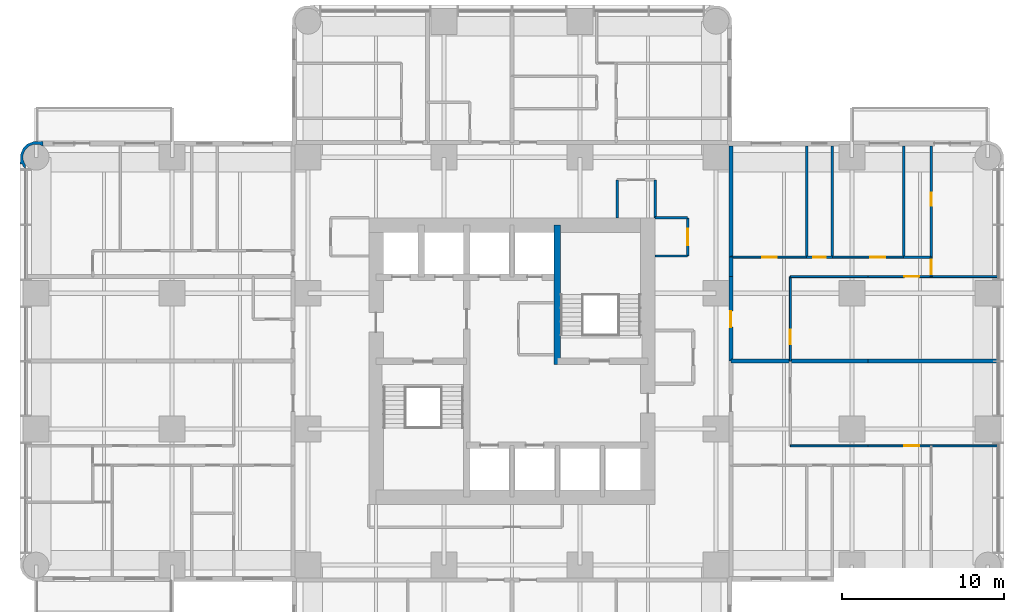
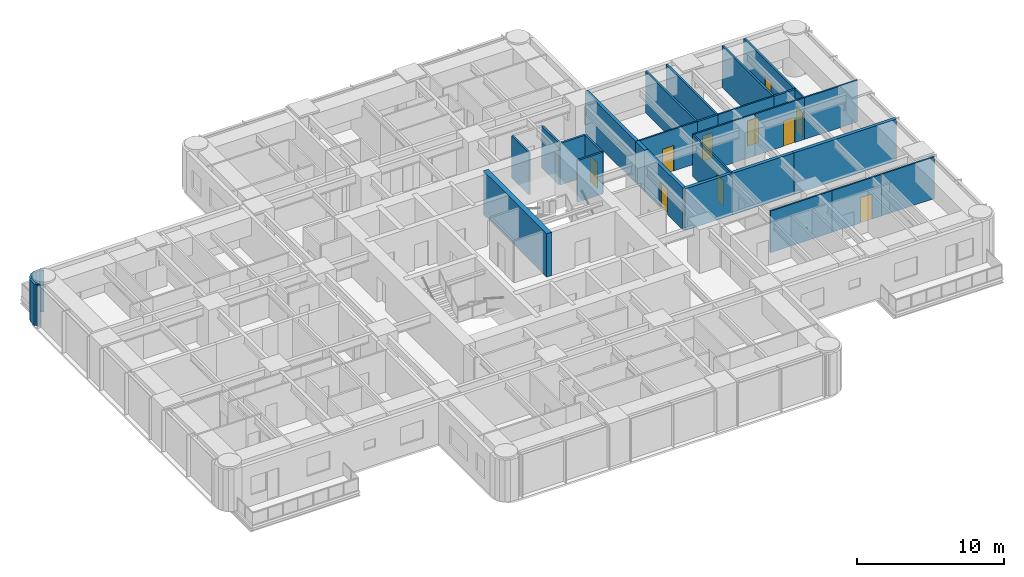
# One storey, part 10 of 14: 29 walls, 10 doors, 10 openings.
"""IFC4 building model written with IfcOpenShell, lengths in metres."""

from ifc_helpers import new_model, si_unit, direction, frame, frame_2d, origin, place, context, subcontext, project, spatial, polyline, rectangle, outline, extrude, material, layer, layer_set, type_object, element, fill, save


model = new_model("IFC4")

# Units and contexts
model_context = context("Model", 3, precision=1e-05, world=origin(), true_north=direction((0.0, 1.0)))
body_context = subcontext(model_context, "Body", "Model", "MODEL_VIEW")
ifc_project = project(units=[si_unit("LENGTHUNIT", "METRE"), si_unit("AREAUNIT", "SQUARE_METRE"), si_unit("VOLUMEUNIT", "CUBIC_METRE"), si_unit("PLANEANGLEUNIT", "RADIAN"), si_unit("MASSUNIT", "GRAM", prefix="KILO")], contexts=[model_context])

# Site, building, storey
site_placement = place(None, origin())
site = spatial("IfcSite", under=ifc_project, at=site_placement, CompositionType="ELEMENT")
building_placement = place(site_placement, origin())
building = spatial("IfcBuilding", under=site, at=building_placement, Name="Torre Alcanfor", CompositionType="ELEMENT")
storey_placement = place(building_placement, frame((0.0, 0.0, 130.5)))
storey = spatial("IfcBuildingStorey", under=building, at=storey_placement, Name="L33", CompositionType="ELEMENT", Elevation=130.5)

# Wall, opening, door
ifc_material_1 = material(Name="Concrete block masonry, hollow blocks NMX-C-404 9 MPa", Category="masonry")
ifc_layer_1 = layer(ifc_material_1, 0.25)
ifc_layer_set_1 = layer_set([ifc_layer_1], Name="Apartment entrance wall 250 EI 60")
wall_type_1 = type_object("IfcWallType", Name="Apartment entrance wall 250 EI 60", PredefinedType="PARTITIONING", material=ifc_layer_set_1)
wall_1_placement = place(storey_placement, frame((42.925048828125, 34.62890625, 0.0), z_axis=(0.0, 0.0, 1.0), x_axis=(0.0, -1.0, 0.0)))
wall_1 = element("IfcWall", 1, at=wall_1_placement, inside=storey, type_object=wall_type_1, Name="Partition L33-CORR / L33-E1-ZAG", PredefinedType="PARTITIONING", context=body_context, shape_type="SweptSolid", body=[
    extrude(rectangle(XDim=5.22900390625, YDim=0.25, at=frame_2d((2.614501953125, 0.0))), origin(), (0.0, 0.0, 1.0), 3.449951171875),
])
opening_1_placement = place(wall_1_placement, frame((2.12890625, 0.0, 0.0)))
opening_1 = element("IfcOpeningElement", 2, at=opening_1_placement, cuts=wall_1, Name="Opening D-A1", PredefinedType="OPENING", context=body_context, shape_type="SweptSolid", body=[
    extrude(rectangle(XDim=1.0, YDim=2.10009765625, at=frame_2d((0.5, 1.050048828125))), frame((0.0, 0.135009765625, 0.0), z_axis=(0.0, -1.0, 0.0), x_axis=(1.0, 0.0, 0.0)), (0.0, 0.0, 1.0), 0.27001953125),
])
ifc_material_2 = material(Name="Galvanised steel sheet ASTM A653", Category="steel")
door_type_1 = type_object("IfcDoorType", Name="Apartment entrance door FD60 1000x2100", OperationType="SINGLE_SWING_LEFT", PredefinedType="DOOR", material=ifc_material_2)
door_1_placement = place(opening_1_placement, origin())
door_1 = element("IfcDoor", 3, at=door_1_placement, inside=storey, type_object=door_type_1, Name="Apartment entrance L33-E1", OperationType="SINGLE_SWING_RIGHT", OverallHeight=2.10009765625, OverallWidth=1.0, PredefinedType="DOOR", context=body_context, shape_type="SweptSolid", body=[
    extrude(rectangle(XDim=1.0, YDim=2.10009765625, at=frame_2d((0.5, 1.050048828125))), frame((0.0, 0.02490234375, 0.0), z_axis=(0.0, -1.0, 0.0), x_axis=(1.0, 0.0, 0.0)), (0.0, 0.0, 1.0), 0.050048828125),
])
fill(opening_1, door_1)

# Walls
wall_2_placement = place(storey_placement, frame((42.925048828125, 35.8291015625, 0.0), z_axis=(0.0, 0.0, 1.0), x_axis=(0.0, -1.0, 0.0)))
element("IfcWall", 4, at=wall_2_placement, inside=storey, type_object=wall_type_1, Name="Partition L33-CORR / L33-E1-HALL", PredefinedType="PARTITIONING", context=body_context, shape_type="SweptSolid", body=[
    extrude(rectangle(XDim=1.2001953125, YDim=0.25, at=frame_2d((0.60009765625, 0.0))), origin(), (0.0, 0.0, 1.0), 3.449951171875),
])
wall_3_placement = place(storey_placement, frame((42.925048828125, 42.699951171875, 0.0), z_axis=(0.0, 0.0, 1.0), x_axis=(0.0, -1.0, 0.0)))
element("IfcWall", 5, at=wall_3_placement, inside=storey, type_object=wall_type_1, Name="Partition L33-CORR / L33-E1-BED3", PredefinedType="PARTITIONING", context=body_context, shape_type="SweptSolid", body=[
    extrude(rectangle(XDim=6.870849609375, YDim=0.25, at=frame_2d((3.435546875, 0.0))), origin(), (0.0, 0.0, 1.0), 3.449951171875),
])

# Wall, opening, door
ifc_material_3 = material(Name="Gypsum board on steel studs", Category="steel")
ifc_layer_2 = layer(ifc_material_3, 0.1201171875)
ifc_layer_set_2 = layer_set([ifc_layer_2], Name="Apartment partition 120")
wall_type_2 = type_object("IfcWallType", Name="Apartment partition 120", PredefinedType="PARTITIONING", material=ifc_layer_set_2)
wall_4_placement = place(storey_placement, frame((46.60009765625, 29.39990234375, 0.0), z_axis=(0.0, 0.0, 1.0), x_axis=(0.0, 1.0, 0.0)))
wall_4 = element("IfcWall", 6, at=wall_4_placement, inside=storey, type_object=wall_type_2, Name="Partition L33-E1-ZAG / L33-E1-KITCHEN", PredefinedType="PARTITIONING", context=body_context, shape_type="SweptSolid", body=[
    extrude(rectangle(XDim=5.22900390625, YDim=0.1201171875, at=frame_2d((2.614501953125, 0.0))), origin(), (0.0, 0.0, 1.0), 3.449951171875),
])
opening_2_placement = place(wall_4_placement, frame((1.050048828125, 0.0, 0.0)))
opening_2 = element("IfcOpeningElement", 7, at=opening_2_placement, cuts=wall_4, Name="Opening D-R1", PredefinedType="OPENING", context=body_context, shape_type="SweptSolid", body=[
    extrude(rectangle(XDim=0.89990234375, YDim=2.10009765625, at=frame_2d((0.449951171875, 1.050048828125))), frame((0.0, 0.070068359375, 0.0), z_axis=(0.0, -1.0, 0.0), x_axis=(1.0, 0.0, 0.0)), (0.0, 0.0, 1.0), 0.14013671875),
])
ifc_material_4 = material(Name="Timber", Category="wood")
door_type_2 = type_object("IfcDoorType", Name="Internal door 900x2100", OperationType="SINGLE_SWING_LEFT", PredefinedType="DOOR", material=ifc_material_4)
door_2_placement = place(opening_2_placement, frame((0.89990234375, 0.0, 0.0), z_axis=(0.0, 0.0, 1.0), x_axis=(-1.0, 0.0, 0.0)))
door_2 = element("IfcDoor", 8, at=door_2_placement, inside=storey, type_object=door_type_2, Name="Door L33-E1 kitchen", OperationType="SINGLE_SWING_RIGHT", OverallHeight=2.10009765625, OverallWidth=0.89990234375, PredefinedType="DOOR", context=body_context, shape_type="SweptSolid", body=[
    extrude(rectangle(XDim=0.89990234375, YDim=2.10009765625, at=frame_2d((0.449951171875, 1.050048828125))), frame((0.0, 0.025146484375, 0.0), z_axis=(0.0, -1.0, 0.0), x_axis=(1.0, 0.0, 0.0)), (0.0, 0.0, 1.0), 0.050048828125),
])
fill(opening_2, door_2)

# Wall
wall_5_placement = place(storey_placement, frame((51.39990234375, 34.62890625, 0.0), z_axis=(0.0, 0.0, 1.0), x_axis=(-1.0, 0.0, 0.0)))
element("IfcWall", 9, at=wall_5_placement, inside=storey, type_object=wall_type_2, Name="Partition L33-E1-KITCHEN / L33-E1-HALL", PredefinedType="PARTITIONING", context=body_context, shape_type="SweptSolid", body=[
    extrude(rectangle(XDim=4.7998046875, YDim=0.1201171875, at=frame_2d((2.39990234375, 0.0))), origin(), (0.0, 0.0, 1.0), 3.449951171875),
])

# Wall, opening, door
wall_6_placement = place(storey_placement, frame((55.300048828125, 34.62890625, 0.0), z_axis=(0.0, 0.0, 1.0), x_axis=(-1.0, 0.0, 0.0)))
wall_6 = element("IfcWall", 10, at=wall_6_placement, inside=storey, type_object=wall_type_2, Name="Partition L33-E1-LIVING / L33-E1-HALL", PredefinedType="PARTITIONING", context=body_context, shape_type="SweptSolid", body=[
    extrude(rectangle(XDim=3.900146484375, YDim=0.1201171875, at=frame_2d((1.9501953125, 0.0))), origin(), (0.0, 0.0, 1.0), 3.449951171875),
])
opening_3_placement = place(wall_6_placement, frame((0.75, 0.0, 0.0)))
opening_3 = element("IfcOpeningElement", 11, at=opening_3_placement, cuts=wall_6, Name="Opening D-R1", PredefinedType="OPENING", context=body_context, shape_type="SweptSolid", body=[
    extrude(rectangle(XDim=0.89990234375, YDim=2.10009765625, at=frame_2d((0.449951171875, 1.050048828125))), frame((0.0, 0.070068359375, 0.0), z_axis=(0.0, -1.0, 0.0), x_axis=(1.0, 0.0, 0.0)), (0.0, 0.0, 1.0), 0.14013671875),
])
door_3_placement = place(opening_3_placement, origin())
door_3 = element("IfcDoor", 12, at=door_3_placement, inside=storey, type_object=door_type_2, Name="Door L33-E1 living", OperationType="SINGLE_SWING_RIGHT", OverallHeight=2.10009765625, OverallWidth=0.89990234375, PredefinedType="DOOR", context=body_context, shape_type="SweptSolid", body=[
    extrude(rectangle(XDim=0.89990234375, YDim=2.10009765625, at=frame_2d((0.449951171875, 1.050048828125))), frame((0.0, 0.02490234375, 0.0), z_axis=(0.0, -1.0, 0.0), x_axis=(1.0, 0.0, 0.0)), (0.0, 0.0, 1.0), 0.050048828125),
])
fill(opening_3, door_3)

# Wall
wall_7_placement = place(storey_placement, frame((59.449951171875, 34.62890625, 0.0), z_axis=(0.0, 0.0, 1.0), x_axis=(-1.0, 0.0, 0.0)))
element("IfcWall", 13, at=wall_7_placement, inside=storey, type_object=wall_type_2, Name="Partition L33-E1-LIVING / L33-E1-MASTER", PredefinedType="PARTITIONING", context=body_context, shape_type="SweptSolid", body=[
    extrude(rectangle(XDim=4.14990234375, YDim=0.1201171875, at=frame_2d((2.074951171875, 0.0))), origin(), (0.0, 0.0, 1.0), 3.449951171875),
])

# Wall, opening, door
wall_8_placement = place(storey_placement, frame((47.60009765625, 35.8291015625, 0.0), z_axis=(0.0, 0.0, 1.0), x_axis=(-1.0, 0.0, 0.0)))
wall_8 = element("IfcWall", 14, at=wall_8_placement, inside=storey, type_object=wall_type_2, Name="Partition L33-E1-HALL / L33-E1-BED3", PredefinedType="PARTITIONING", context=body_context, shape_type="SweptSolid", body=[
    extrude(rectangle(XDim=4.675048828125, YDim=0.1201171875, at=frame_2d((2.33740234375, 0.0))), origin(), (0.0, 0.0, 1.0), 3.449951171875),
])
opening_4_placement = place(wall_8_placement, frame((1.85009765625, 0.0, 0.0)))
opening_4 = element("IfcOpeningElement", 15, at=opening_4_placement, cuts=wall_8, Name="Opening D-R1", PredefinedType="OPENING", context=body_context, shape_type="SweptSolid", body=[
    extrude(rectangle(XDim=0.89990234375, YDim=2.10009765625, at=frame_2d((0.449951171875, 1.050048828125))), frame((0.0, 0.070068359375, 0.0), z_axis=(0.0, -1.0, 0.0), x_axis=(1.0, 0.0, 0.0)), (0.0, 0.0, 1.0), 0.14013671875),
])
door_4_placement = place(opening_4_placement, frame((0.89990234375, 0.0, 0.0), z_axis=(0.0, 0.0, 1.0), x_axis=(-1.0, 0.0, 0.0)))
door_4 = element("IfcDoor", 16, at=door_4_placement, inside=storey, type_object=door_type_2, Name="Door L33-E1 bed3", OperationType="SINGLE_SWING_RIGHT", OverallHeight=2.10009765625, OverallWidth=0.89990234375, PredefinedType="DOOR", context=body_context, shape_type="SweptSolid", body=[
    extrude(rectangle(XDim=0.89990234375, YDim=2.10009765625, at=frame_2d((0.449951171875, 1.050048828125))), frame((0.0, 0.025146484375, 0.0), z_axis=(0.0, -1.0, 0.0), x_axis=(1.0, 0.0, 0.0)), (0.0, 0.0, 1.0), 0.050048828125),
])
fill(opening_4, door_4)

wall_9_placement = place(storey_placement, frame((53.60009765625, 35.8291015625, 0.0), z_axis=(0.0, 0.0, 1.0), x_axis=(-1.0, 0.0, 0.0)))
wall_9 = element("IfcWall", 17, at=wall_9_placement, inside=storey, type_object=wall_type_2, Name="Partition L33-E1-HALL / L33-E1-BED2", PredefinedType="PARTITIONING", context=body_context, shape_type="SweptSolid", body=[
    extrude(rectangle(XDim=4.400146484375, YDim=0.1201171875, at=frame_2d((2.2001953125, 0.0))), origin(), (0.0, 0.0, 1.0), 3.449951171875),
])
opening_5_placement = place(wall_9_placement, frame((1.14990234375, 0.0, 0.0)))
opening_5 = element("IfcOpeningElement", 18, at=opening_5_placement, cuts=wall_9, Name="Opening D-R1", PredefinedType="OPENING", context=body_context, shape_type="SweptSolid", body=[
    extrude(rectangle(XDim=0.89990234375, YDim=2.10009765625, at=frame_2d((0.449951171875, 1.050048828125))), frame((0.0, 0.070068359375, 0.0), z_axis=(0.0, -1.0, 0.0), x_axis=(1.0, 0.0, 0.0)), (0.0, 0.0, 1.0), 0.14013671875),
])
door_5_placement = place(opening_5_placement, frame((0.89990234375, 0.0, 0.0), z_axis=(0.0, 0.0, 1.0), x_axis=(-1.0, 0.0, 0.0)))
door_5 = element("IfcDoor", 19, at=door_5_placement, inside=storey, type_object=door_type_2, Name="Door L33-E1 bed2", OperationType="SINGLE_SWING_RIGHT", OverallHeight=2.10009765625, OverallWidth=0.89990234375, PredefinedType="DOOR", context=body_context, shape_type="SweptSolid", body=[
    extrude(rectangle(XDim=0.89990234375, YDim=2.10009765625, at=frame_2d((0.449951171875, 1.050048828125))), frame((0.0, 0.025146484375, 0.0), z_axis=(0.0, -1.0, 0.0), x_axis=(1.0, 0.0, 0.0)), (0.0, 0.0, 1.0), 0.050048828125),
])
fill(opening_5, door_5)

wall_10_placement = place(storey_placement, frame((55.300048828125, 34.62890625, 0.0), z_axis=(0.0, 0.0, 1.0), x_axis=(0.0, 1.0, 0.0)))
wall_10 = element("IfcWall", 20, at=wall_10_placement, inside=storey, type_object=wall_type_2, Name="Partition L33-E1-HALL / L33-E1-MASTER", PredefinedType="PARTITIONING", context=body_context, shape_type="SweptSolid", body=[
    extrude(rectangle(XDim=1.2001953125, YDim=0.1201171875, at=frame_2d((0.60009765625, 0.0))), origin(), (0.0, 0.0, 1.0), 3.449951171875),
])
opening_6_placement = place(wall_10_placement, frame((0.15087890625, 0.0, 0.0)))
opening_6 = element("IfcOpeningElement", 21, at=opening_6_placement, cuts=wall_10, Name="Opening D-R1", PredefinedType="OPENING", context=body_context, shape_type="SweptSolid", body=[
    extrude(rectangle(XDim=0.89990234375, YDim=2.10009765625, at=frame_2d((0.449951171875, 1.050048828125))), frame((0.0, 0.070068359375, 0.0), z_axis=(0.0, -1.0, 0.0), x_axis=(1.0, 0.0, 0.0)), (0.0, 0.0, 1.0), 0.14013671875),
])
door_6_placement = place(opening_6_placement, frame((0.89990234375, 0.0, 0.0), z_axis=(0.0, 0.0, 1.0), x_axis=(-1.0, 0.0, 0.0)))
door_6 = element("IfcDoor", 22, at=door_6_placement, inside=storey, type_object=door_type_2, Name="Door L33-E1 master", OperationType="SINGLE_SWING_RIGHT", OverallHeight=2.10009765625, OverallWidth=0.89990234375, PredefinedType="DOOR", context=body_context, shape_type="SweptSolid", body=[
    extrude(rectangle(XDim=0.89990234375, YDim=2.10009765625, at=frame_2d((0.449951171875, 1.050048828125))), frame((0.0, 0.025146484375, 0.0), z_axis=(0.0, -1.0, 0.0), x_axis=(1.0, 0.0, 0.0)), (0.0, 0.0, 1.0), 0.050048828125),
])
fill(opening_6, door_6)

# Wall
wall_11_placement = place(storey_placement, frame((51.39990234375, 24.1708984375, 0.0), z_axis=(0.0, 0.0, 1.0), x_axis=(-1.0, 0.0, 0.0)))
element("IfcWall", 23, at=wall_11_placement, inside=storey, type_object=wall_type_2, Name="Partition L33-E2-KITCHEN / L33-E2-HALL", PredefinedType="PARTITIONING", context=body_context, shape_type="SweptSolid", body=[
    extrude(rectangle(XDim=4.7998046875, YDim=0.1201171875, at=frame_2d((2.39990234375, 0.0))), origin(), (0.0, 0.0, 1.0), 3.449951171875),
])

# Wall, opening, door
wall_12_placement = place(storey_placement, frame((55.300048828125, 24.1708984375, 0.0), z_axis=(0.0, 0.0, 1.0), x_axis=(-1.0, 0.0, 0.0)))
wall_12 = element("IfcWall", 24, at=wall_12_placement, inside=storey, type_object=wall_type_2, Name="Partition L33-E2-LIVING / L33-E2-HALL", PredefinedType="PARTITIONING", context=body_context, shape_type="SweptSolid", body=[
    extrude(rectangle(XDim=3.900146484375, YDim=0.1201171875, at=frame_2d((1.9501953125, 0.0))), origin(), (0.0, 0.0, 1.0), 3.449951171875),
])
opening_7_placement = place(wall_12_placement, frame((0.75, 0.0, 0.0)))
opening_7 = element("IfcOpeningElement", 25, at=opening_7_placement, cuts=wall_12, Name="Opening D-R1", PredefinedType="OPENING", context=body_context, shape_type="SweptSolid", body=[
    extrude(rectangle(XDim=0.89990234375, YDim=2.10009765625, at=frame_2d((0.449951171875, 1.050048828125))), frame((0.0, 0.070068359375, 0.0), z_axis=(0.0, -1.0, 0.0), x_axis=(1.0, 0.0, 0.0)), (0.0, 0.0, 1.0), 0.14013671875),
])
door_7_placement = place(opening_7_placement, frame((0.89990234375, 0.0, 0.0), z_axis=(0.0, 0.0, 1.0), x_axis=(-1.0, 0.0, 0.0)))
door_7 = element("IfcDoor", 26, at=door_7_placement, inside=storey, type_object=door_type_2, Name="Door L33-E2 living", OperationType="SINGLE_SWING_LEFT", OverallHeight=2.10009765625, OverallWidth=0.89990234375, PredefinedType="DOOR", context=body_context, shape_type="SweptSolid", body=[
    extrude(rectangle(XDim=0.89990234375, YDim=2.10009765625, at=frame_2d((0.449951171875, 1.050048828125))), frame((0.0, 0.025146484375, 0.0), z_axis=(0.0, -1.0, 0.0), x_axis=(1.0, 0.0, 0.0)), (0.0, 0.0, 1.0), 0.050048828125),
])
fill(opening_7, door_7)

# Walls
wall_13_placement = place(storey_placement, frame((59.449951171875, 24.1708984375, 0.0), z_axis=(0.0, 0.0, 1.0), x_axis=(-1.0, 0.0, 0.0)))
element("IfcWall", 27, at=wall_13_placement, inside=storey, type_object=wall_type_2, Name="Partition L33-E2-LIVING / L33-E2-MASTER", PredefinedType="PARTITIONING", context=body_context, shape_type="SweptSolid", body=[
    extrude(rectangle(XDim=4.14990234375, YDim=0.1201171875, at=frame_2d((2.074951171875, 0.0))), origin(), (0.0, 0.0, 1.0), 3.449951171875),
])
ifc_material_5 = material(Name="Concrete f'c 70 MPa", Category="concrete")
ifc_layer_3 = layer(ifc_material_5, 0.39990234375)
ifc_layer_set_3 = layer_set([ifc_layer_3], Name="Core inner wall 400 f'c70")
wall_type_3 = type_object("IfcWallType", Name="Core inner wall 400 f'c70", PredefinedType="SHEAR", material=ifc_layer_set_3)
wall_14_placement = place(storey_placement, frame((32.199951171875, 29.199951171875, 0.0), z_axis=(0.0, 0.0, 1.0), x_axis=(0.0, 1.0, 0.0)))
element("IfcWall", 28, at=wall_14_placement, inside=storey, type_object=wall_type_3, Name="Core wall X322N L33", PredefinedType="SHEAR", context=body_context, shape_type="SweptSolid", body=[
    extrude(rectangle(XDim=8.60009765625, YDim=0.39990234375, at=frame_2d((4.300048828125, 0.0))), origin(), (0.0, 0.0, 1.0), 3.60009765625),
])
ifc_material_6 = material(Name="Concrete block masonry, hollow blocks NMX-C-404 9 MPa", Category="masonry")
ifc_layer_4 = layer(ifc_material_6, 0.25)
ifc_layer_set_4 = layer_set([ifc_layer_4], Name="Party wall 250 EI 60")
wall_type_4 = type_object("IfcWallType", Name="Party wall 250 EI 60", PredefinedType="PARTITIONING", material=ifc_layer_set_4)
wall_15_placement = place(storey_placement, frame((42.925048828125, 29.39990234375, 0.0), z_axis=(0.0, 0.0, 1.0), x_axis=(1.0, 0.0, 0.0)))
element("IfcWall", 29, at=wall_15_placement, inside=storey, type_object=wall_type_4, Name="Partition L33-E1-ZAG / L33-E2-ZAG", PredefinedType="PARTITIONING", context=body_context, shape_type="SweptSolid", body=[
    extrude(rectangle(XDim=3.675048828125, YDim=0.25, at=frame_2d((1.83740234375, 0.0))), origin(), (0.0, 0.0, 1.0), 3.449951171875),
])
wall_16_placement = place(storey_placement, frame((46.60009765625, 29.39990234375, 0.0), z_axis=(0.0, 0.0, 1.0), x_axis=(1.0, 0.0, 0.0)))
element("IfcWall", 30, at=wall_16_placement, inside=storey, type_object=wall_type_4, Name="Partition L33-E1-KITCHEN / L33-E2-KITCHEN", PredefinedType="PARTITIONING", context=body_context, shape_type="SweptSolid", body=[
    extrude(rectangle(XDim=4.7998046875, YDim=0.25, at=frame_2d((2.39990234375, 0.0))), origin(), (0.0, 0.0, 1.0), 3.449951171875),
])
wall_17_placement = place(storey_placement, frame((51.39990234375, 29.39990234375, 0.0), z_axis=(0.0, 0.0, 1.0), x_axis=(1.0, 0.0, 0.0)))
element("IfcWall", 31, at=wall_17_placement, inside=storey, type_object=wall_type_4, Name="Partition L33-E1-LIVING / L33-E2-LIVING", PredefinedType="PARTITIONING", context=body_context, shape_type="SweptSolid", body=[
    extrude(rectangle(XDim=8.050048828125, YDim=0.25, at=frame_2d((4.02490234375, 0.0))), origin(), (0.0, 0.0, 1.0), 3.449951171875),
])
ifc_material_7 = material(Name="Concrete block masonry, hollow blocks NMX-C-404 9 MPa", Category="masonry")
ifc_layer_5 = layer(ifc_material_7, 0.14990234375)
ifc_layer_set_5 = layer_set([ifc_layer_5], Name="Residents' room partition 150")
wall_type_5 = type_object("IfcWallType", Name="Residents' room partition 150", PredefinedType="PARTITIONING", material=ifc_layer_set_5)
for number, where, z_axis, x_axis, name in (
    (32, (38.25, 38.25, 0.0), (0.0, 0.0, 1.0), (0.0, 1.0, 0.0), "Partition L33-CORR / L33-G01"),
    (33, (35.89990234375, 40.60009765625, 0.0), (0.0, 0.0, 1.0), (0.0, -1.0, 0.0), "Partition L33-CORR / L33-G01"),
):
    element("IfcWall", number, at=place(storey_placement, frame(where, z_axis=z_axis, x_axis=x_axis)), inside=storey, type_object=wall_type_5, Name=name, PredefinedType="PARTITIONING", context=body_context, shape_type="SweptSolid", body=[
        extrude(rectangle(XDim=2.35009765625, YDim=0.14990234375, at=frame_2d((1.175048828125, 0.0))), origin(), (0.0, 0.0, 1.0), 3.449951171875),
    ])
wall_18_placement = place(storey_placement, frame((38.25, 35.89990234375, 0.0), z_axis=(0.0, 0.0, 1.0), x_axis=(1.0, 0.0, 0.0)))
element("IfcWall", 34, at=wall_18_placement, inside=storey, type_object=wall_type_5, Name="Partition L33-CORR / L33-G03", PredefinedType="PARTITIONING", context=body_context, shape_type="SweptSolid", body=[
    extrude(rectangle(XDim=2.0, YDim=0.14990234375, at=frame_2d((1.0, 0.0))), origin(), (0.0, 0.0, 1.0), 3.449951171875),
])

# Wall, opening, door
wall_19_placement = place(storey_placement, frame((40.25, 35.89990234375, 0.0), z_axis=(0.0, 0.0, 1.0), x_axis=(0.0, 1.0, 0.0)))
wall_19 = element("IfcWall", 35, at=wall_19_placement, inside=storey, type_object=wall_type_5, Name="Partition L33-CORR / L33-G03", PredefinedType="PARTITIONING", context=body_context, shape_type="SweptSolid", body=[
    extrude(rectangle(XDim=2.35009765625, YDim=0.14990234375, at=frame_2d((1.175048828125, 0.0))), origin(), (0.0, 0.0, 1.0), 3.449951171875),
])
opening_8_placement = place(wall_19_placement, frame((0.675048828125, 0.0, 0.0)))
opening_8 = element("IfcOpeningElement", 36, at=opening_8_placement, cuts=wall_19, Name="Opening D-M1", PredefinedType="OPENING", context=body_context, shape_type="SweptSolid", body=[
    extrude(rectangle(XDim=1.0, YDim=2.10009765625, at=frame_2d((0.5, 1.050048828125))), frame((0.0, 0.0849609375, 0.0), z_axis=(0.0, -1.0, 0.0), x_axis=(1.0, 0.0, 0.0)), (0.0, 0.0, 1.0), 0.169921875),
])
ifc_material_8 = material(Name="Timber", Category="wood")
door_type_3 = type_object("IfcDoorType", Name="Residents' room door 1000x2100", OperationType="SINGLE_SWING_LEFT", PredefinedType="DOOR", material=ifc_material_8)
door_8_placement = place(opening_8_placement, origin())
door_8 = element("IfcDoor", 37, at=door_8_placement, inside=storey, type_object=door_type_3, Name="Door L33-G03 residents' storage lockers", OperationType="SINGLE_SWING_LEFT", OverallHeight=2.10009765625, OverallWidth=1.0, PredefinedType="DOOR", context=body_context, shape_type="SweptSolid", body=[
    extrude(rectangle(XDim=1.0, YDim=2.10009765625, at=frame_2d((0.5, 1.050048828125))), frame((0.0, 0.02490234375, 0.0), z_axis=(0.0, -1.0, 0.0), x_axis=(1.0, 0.0, 0.0)), (0.0, 0.0, 1.0), 0.050048828125),
])
fill(opening_8, door_8)

# Walls
wall_20_placement = place(storey_placement, frame((40.25, 38.25, 0.0), z_axis=(0.0, 0.0, 1.0), x_axis=(-1.0, 0.0, 0.0)))
element("IfcWall", 38, at=wall_20_placement, inside=storey, type_object=wall_type_5, Name="Partition L33-CORR / L33-G03", PredefinedType="PARTITIONING", context=body_context, shape_type="SweptSolid", body=[
    extrude(rectangle(XDim=2.0, YDim=0.14990234375, at=frame_2d((1.0, 0.0))), origin(), (0.0, 0.0, 1.0), 3.449951171875),
])
ifc_material_9 = material(Name="Limestone cladding", Category="masonry")
ifc_layer_6 = layer(ifc_material_9, 0.0400390625, Name="Facing")
ifc_material_10 = material(Name="Ventilated air cavity")
ifc_layer_7 = layer(ifc_material_10, 0.02001953125, ventilated=True, Name="Ventilated joint")
ifc_material_11 = material(Name="Mineral wool insulation", Category="insulation")
ifc_layer_8 = layer(ifc_material_11, 0.10009765625, Name="Insulation")
ifc_material_12 = material(Name="Concrete f'c 35 MPa", Category="concrete")
ifc_layer_9 = layer(ifc_material_12, 0.139892578125, Name="Backing")
ifc_layer_set_6 = layer_set([ifc_layer_6, ifc_layer_7, ifc_layer_8, ifc_layer_9], Name="Rounded corner pier stone-clad 300")
wall_type_6 = type_object("IfcWallType", Name="Rounded corner pier stone-clad 300", PredefinedType="SOLIDWALL", material=ifc_layer_set_6)
wall_21_placement = place(storey_placement, frame((0.326823795, 42.817059488, 0.0), z_axis=(0.0, 0.0, 1.0), x_axis=(-0.93923434088, 0.343276641956, 0.0)))
element("IfcWall", 39, at=wall_21_placement, inside=storey, type_object=wall_type_6, Name="Corner pier L33 13", PredefinedType="SOLIDWALL", context=body_context, shape_type="SweptSolid", body=[
    extrude(outline(polyline([(-0.005838677930572508, -0.19691017002240385), (0.2656725893480827, -0.05504723679548061), (0.5353355739365452, 0.04351070532859805), (0.8164808166219237, 0.3019667887790936), (0.9774010351300944, 0.6482698031873169), (0.9936526519661447, 1.0298167590229048), (0.8950947098420661, 1.2994797436113674), (0.8284439015683875, 1.5984799607341533), (0.6967504599124257, 1.5690632792769885), (0.6041212101125378, 1.6695954267902182), (0.39402236502400456, 1.7672242392847775), (0.4711255170258348, 1.5562634010012864), (0.5086990809760941, 1.538803702790635), (0.7241945805605172, 1.30408163961566), (0.8334799177457201, 1.0050675818747117), (0.8201287688443563, 0.6867053603325339), (0.6856890926223405, 0.3973889179155373), (0.4509670294473655, 0.1818934183311141), (0.15195297170641725, 0.07260808114591123), (-0.11630424425966698, 0.08399689688883538), (-0.12741215805145528, 0.07811756360614214), (-0.14598588403076265, 0.07132913391902448), (-0.005838677930572508, -0.19691017002240385)])), origin(), (0.0, 0.0, 1.0), 3.449951171875),
])

# Wall, opening, door
ifc_material_13 = material(Name="Cement board on steel studs", Category="steel")
ifc_layer_10 = layer(ifc_material_13, 0.14990234375)
ifc_layer_set_7 = layer_set([ifc_layer_10], Name="Wet area partition 150")
wall_type_7 = type_object("IfcWallType", Name="Wet area partition 150", PredefinedType="PARTITIONING", material=ifc_layer_set_7)
wall_22_placement = place(storey_placement, frame((49.199951171875, 35.8291015625, 0.0), z_axis=(0.0, 0.0, 1.0), x_axis=(-1.0, 0.0, 0.0)))
wall_22 = element("IfcWall", 40, at=wall_22_placement, inside=storey, type_object=wall_type_7, Name="Partition L33-E1-HALL / L33-E1-BATH1", PredefinedType="PARTITIONING", context=body_context, shape_type="SweptSolid", body=[
    extrude(rectangle(XDim=1.599853515625, YDim=0.14990234375, at=frame_2d((0.7998046875, 0.0))), origin(), (0.0, 0.0, 1.0), 3.449951171875),
])
opening_9_placement = place(wall_22_placement, frame((0.39990234375, 0.0, 0.0)))
opening_9 = element("IfcOpeningElement", 41, at=opening_9_placement, cuts=wall_22, Name="Opening D-R2", PredefinedType="OPENING", context=body_context, shape_type="SweptSolid", body=[
    extrude(rectangle(XDim=0.800048828125, YDim=2.10009765625, at=frame_2d((0.39990234375, 1.050048828125))), frame((0.0, 0.0849609375, 0.0), z_axis=(0.0, -1.0, 0.0), x_axis=(1.0, 0.0, 0.0)), (0.0, 0.0, 1.0), 0.169921875),
])
ifc_material_14 = material(Name="Timber", Category="wood")
door_type_4 = type_object("IfcDoorType", Name="Bathroom door 800x2100", OperationType="SINGLE_SWING_LEFT", PredefinedType="DOOR", material=ifc_material_14)
door_9_placement = place(opening_9_placement, frame((0.800048828125, 0.0, 0.0), z_axis=(0.0, 0.0, 1.0), x_axis=(-1.0, 0.0, 0.0)))
door_9 = element("IfcDoor", 42, at=door_9_placement, inside=storey, type_object=door_type_4, Name="Door L33-E1 bath1", OperationType="SINGLE_SWING_RIGHT", OverallHeight=2.10009765625, OverallWidth=0.800048828125, PredefinedType="DOOR", context=body_context, shape_type="SweptSolid", body=[
    extrude(rectangle(XDim=0.800048828125, YDim=2.10009765625, at=frame_2d((0.400146484375, 1.050048828125))), frame((0.0, 0.025146484375, 0.0), z_axis=(0.0, -1.0, 0.0), x_axis=(1.0, 0.0, 0.0)), (0.0, 0.0, 1.0), 0.050048828125),
])
fill(opening_9, door_9)

# Walls
wall_23_placement = place(storey_placement, frame((55.300048828125, 35.8291015625, 0.0), z_axis=(0.0, 0.0, 1.0), x_axis=(-1.0, 0.0, 0.0)))
element("IfcWall", 43, at=wall_23_placement, inside=storey, type_object=wall_type_7, Name="Partition L33-E1-HALL / L33-E1-ENSBATH", PredefinedType="PARTITIONING", context=body_context, shape_type="SweptSolid", body=[
    extrude(rectangle(XDim=1.699951171875, YDim=0.14990234375, at=frame_2d((0.85009765625, 0.0))), origin(), (0.0, 0.0, 1.0), 3.449951171875),
])
for number, where, z_axis, x_axis, name in (
    (44, (47.60009765625, 35.8291015625, 0.0), (0.0, 0.0, 1.0), (0.0, 1.0, 0.0), "Partition L33-E1-BED3 / L33-E1-BATH1"),
    (45, (49.199951171875, 35.8291015625, 0.0), (0.0, 0.0, 1.0), (0.0, 1.0, 0.0), "Partition L33-E1-BATH1 / L33-E1-BED2"),
    (46, (53.60009765625, 35.8291015625, 0.0), (0.0, 0.0, 1.0), (0.0, 1.0, 0.0), "Partition L33-E1-BED2 / L33-E1-ENSBATH"),
):
    element("IfcWall", number, at=place(storey_placement, frame(where, z_axis=z_axis, x_axis=x_axis)), inside=storey, type_object=wall_type_7, Name=name, PredefinedType="PARTITIONING", context=body_context, shape_type="SweptSolid", body=[
        extrude(rectangle(XDim=6.870849609375, YDim=0.14990234375, at=frame_2d((3.435546875, 0.0))), origin(), (0.0, 0.0, 1.0), 3.449951171875),
    ])

# Wall, opening, door
wall_24_placement = place(storey_placement, frame((55.300048828125, 35.8291015625, 0.0), z_axis=(0.0, 0.0, 1.0), x_axis=(0.0, 1.0, 0.0)))
wall_24 = element("IfcWall", 47, at=wall_24_placement, inside=storey, type_object=wall_type_7, Name="Partition L33-E1-ENSBATH / L33-E1-MASTER", PredefinedType="PARTITIONING", context=body_context, shape_type="SweptSolid", body=[
    extrude(rectangle(XDim=6.870849609375, YDim=0.14990234375, at=frame_2d((3.435546875, 0.0))), origin(), (0.0, 0.0, 1.0), 3.449951171875),
])
opening_10_placement = place(wall_24_placement, frame((3.1708984375, 0.0, 0.0)))
opening_10 = element("IfcOpeningElement", 48, at=opening_10_placement, cuts=wall_24, Name="Opening D-R2", PredefinedType="OPENING", context=body_context, shape_type="SweptSolid", body=[
    extrude(rectangle(XDim=0.800048828125, YDim=2.10009765625, at=frame_2d((0.39990234375, 1.050048828125))), frame((0.0, 0.0849609375, 0.0), z_axis=(0.0, -1.0, 0.0), x_axis=(1.0, 0.0, 0.0)), (0.0, 0.0, 1.0), 0.169921875),
])
door_10_placement = place(opening_10_placement, origin())
door_10 = element("IfcDoor", 49, at=door_10_placement, inside=storey, type_object=door_type_4, Name="Door L33-E1 ensbath", OperationType="SINGLE_SWING_RIGHT", OverallHeight=2.10009765625, OverallWidth=0.800048828125, PredefinedType="DOOR", context=body_context, shape_type="SweptSolid", body=[
    extrude(rectangle(XDim=0.800048828125, YDim=2.10009765625, at=frame_2d((0.39990234375, 1.050048828125))), frame((0.0, 0.02490234375, 0.0), z_axis=(0.0, -1.0, 0.0), x_axis=(1.0, 0.0, 0.0)), (0.0, 0.0, 1.0), 0.050048828125),
])
fill(opening_10, door_10)

save(model, "model.ifc")
